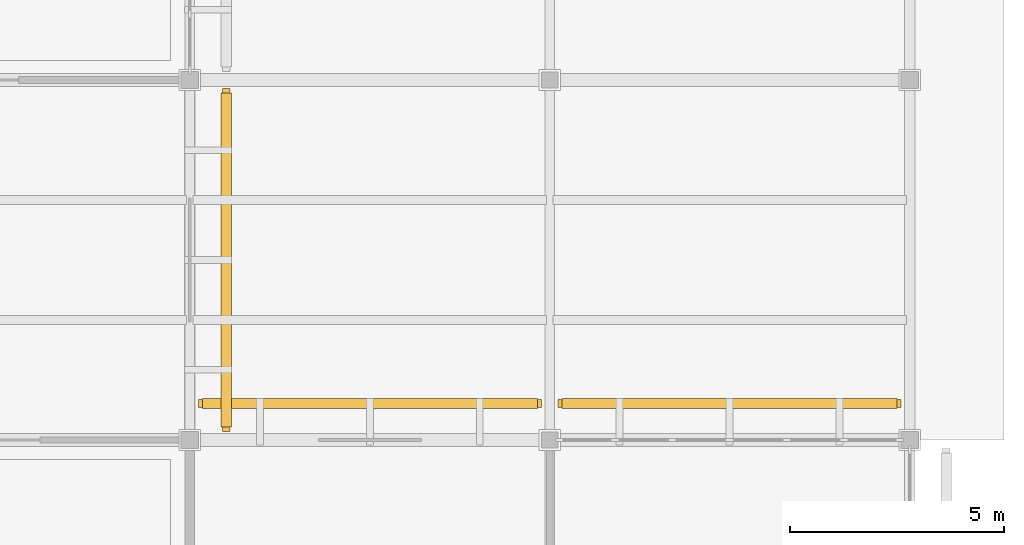
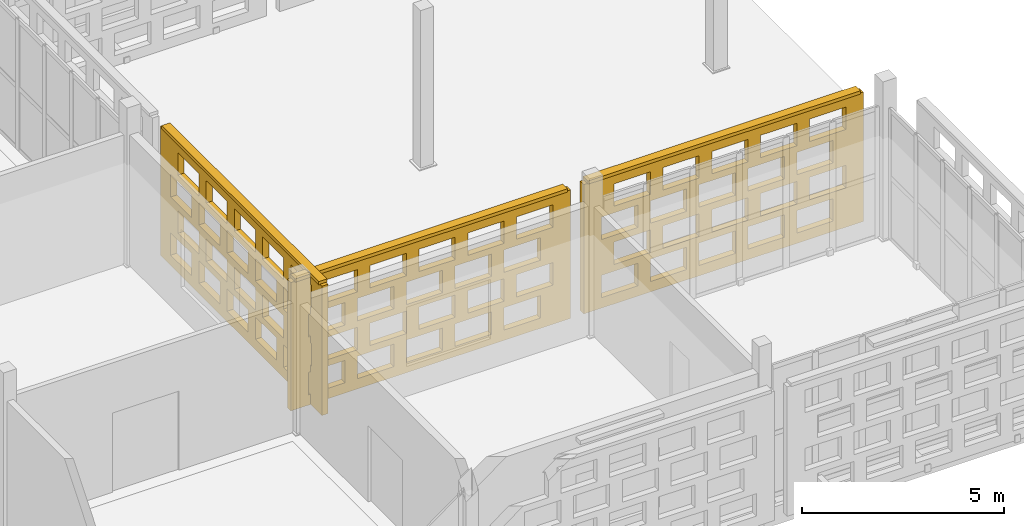
# One storey, part 186 of 203: 3 coverings, 3 shading devices, 60 openings.
"""IFC4 building model written with IfcOpenShell, lengths in metres."""

from ifc_helpers import new_model, si_unit, direction, frame, frame_2d, origin, origin_2d, place, context, subcontext, project, spatial, rectangle, extrude, material, layer, layer_set, type_object, element, save


model = new_model("IFC4")

# Units and contexts
model_context = context("Model", 3, precision=1e-05, world=origin(), true_north=direction((0.0, 1.0)))
body_context = subcontext(model_context, "Body", "Model", "MODEL_VIEW")
ifc_project = project(units=[si_unit("LENGTHUNIT", "METRE"), si_unit("AREAUNIT", "SQUARE_METRE"), si_unit("VOLUMEUNIT", "CUBIC_METRE"), si_unit("PLANEANGLEUNIT", "RADIAN"), si_unit("MASSUNIT", "GRAM", prefix="KILO")], contexts=[model_context])

# Site, building, storey
site_placement = place(None, origin())
site = spatial("IfcSite", under=ifc_project, at=site_placement, CompositionType="ELEMENT")
building_placement = place(site_placement, origin())
building = spatial("IfcBuilding", under=site, at=building_placement, Name="Varnapada Polytechnic", CompositionType="ELEMENT")
storey_placement = place(building_placement, frame((0.0, 0.0, 4.800048828125)))
storey = spatial("IfcBuildingStorey", under=building, at=storey_placement, Name="L01", CompositionType="ELEMENT", Elevation=4.800048828125)

# Covering, openings
ifc_material = material(Name="Earth-toned architectural terracotta screen block", Category="masonry")
ifc_layer_1 = layer(ifc_material, 0.1201171875)
ifc_layer_set_1 = layer_set([ifc_layer_1], Name="Earth-toned architectural terracotta screen block")
covering_type = type_object("IfcCoveringType", Name="Terracotta Screen Cladding CLD-01", PredefinedType="CLADDING", material=ifc_layer_set_1)
covering_1_placement = place(storey_placement, frame((160.449951171875, 16.60009765625, 0.0), z_axis=(0.0, 0.0, 1.0), x_axis=(0.0, -1.0, 0.0)))
covering_1 = element("IfcCovering", 1, at=covering_1_placement, inside=storey, type_object=covering_type, Name="L01 perforated terracotta block screen (125)", PredefinedType="CLADDING", context=body_context, shape_type="SweptSolid", body=[
    extrude(rectangle(XDim=8.0, YDim=0.179931640625, at=frame_2d((4.0, 0.0))), origin(), (0.0, 0.0, 1.0), 3.919921875),
])
opening_1_placement = place(covering_1_placement, frame((0.5, 0.0, 0.313720703125)))
element("IfcOpeningElement", 2, at=opening_1_placement, cuts=covering_1, Name="Screen perforation TBS-L01-124.1", PredefinedType="OPENING", context=body_context, shape_type="SweptSolid", body=[
    extrude(rectangle(XDim=1.0400390625, YDim=0.679931640625, at=frame_2d((0.52001953125, 0.33984375))), frame((0.0, 0.099853515625, 0.0), z_axis=(0.0, -1.0, 0.0), x_axis=(1.0, 0.0, 0.0)), (0.0, 0.0, 1.0), 0.199951171875),
])
opening_2_placement = place(covering_1_placement, frame((1.89990234375, 0.0, 0.313720703125)))
element("IfcOpeningElement", 3, at=opening_2_placement, cuts=covering_1, Name="Screen perforation TBS-L01-124.2", PredefinedType="OPENING", context=body_context, shape_type="SweptSolid", body=[
    extrude(rectangle(XDim=1.0400390625, YDim=0.679931640625, at=frame_2d((0.52001953125, 0.33984375))), frame((0.0, 0.099853515625, 0.0), z_axis=(0.0, -1.0, 0.0), x_axis=(1.0, 0.0, 0.0)), (0.0, 0.0, 1.0), 0.199951171875),
])
opening_3_placement = place(covering_1_placement, frame((3.300048828125, 0.0, 0.313720703125)))
element("IfcOpeningElement", 4, at=opening_3_placement, cuts=covering_1, Name="Screen perforation TBS-L01-124.3", PredefinedType="OPENING", context=body_context, shape_type="SweptSolid", body=[
    extrude(rectangle(XDim=1.0400390625, YDim=0.679931640625, at=frame_2d((0.52001953125, 0.33984375))), frame((0.0, 0.099853515625, 0.0), z_axis=(0.0, -1.0, 0.0), x_axis=(1.0, 0.0, 0.0)), (0.0, 0.0, 1.0), 0.199951171875),
])
opening_4_placement = place(covering_1_placement, frame((4.699951171875, 0.0, 0.313720703125)))
element("IfcOpeningElement", 5, at=opening_4_placement, cuts=covering_1, Name="Screen perforation TBS-L01-124.4", PredefinedType="OPENING", context=body_context, shape_type="SweptSolid", body=[
    extrude(rectangle(XDim=1.0400390625, YDim=0.679931640625, at=frame_2d((0.52001953125, 0.33984375))), frame((0.0, 0.099853515625, 0.0), z_axis=(0.0, -1.0, 0.0), x_axis=(1.0, 0.0, 0.0)), (0.0, 0.0, 1.0), 0.199951171875),
])
opening_5_placement = place(covering_1_placement, frame((6.10009765625, 0.0, 0.313720703125)))
element("IfcOpeningElement", 6, at=opening_5_placement, cuts=covering_1, Name="Screen perforation TBS-L01-124.5", PredefinedType="OPENING", context=body_context, shape_type="SweptSolid", body=[
    extrude(rectangle(XDim=1.0400390625, YDim=0.679931640625, at=frame_2d((0.52001953125, 0.33984375))), frame((0.0, 0.099853515625, 0.0), z_axis=(0.0, -1.0, 0.0), x_axis=(1.0, 0.0, 0.0)), (0.0, 0.0, 1.0), 0.199951171875),
])
opening_6_placement = place(covering_1_placement, frame((0.860107421875, 0.0, 1.195556640625)))
element("IfcOpeningElement", 7, at=opening_6_placement, cuts=covering_1, Name="Screen perforation TBS-L01-124.6", PredefinedType="OPENING", context=body_context, shape_type="SweptSolid", body=[
    extrude(rectangle(XDim=1.0400390625, YDim=0.679931640625, at=frame_2d((0.52001953125, 0.33984375))), frame((0.0, 0.099853515625, 0.0), z_axis=(0.0, -1.0, 0.0), x_axis=(1.0, 0.0, 0.0)), (0.0, 0.0, 1.0), 0.199951171875),
])
opening_7_placement = place(covering_1_placement, frame((2.260009765625, 0.0, 1.195556640625)))
element("IfcOpeningElement", 8, at=opening_7_placement, cuts=covering_1, Name="Screen perforation TBS-L01-124.7", PredefinedType="OPENING", context=body_context, shape_type="SweptSolid", body=[
    extrude(rectangle(XDim=1.0400390625, YDim=0.679931640625, at=frame_2d((0.52001953125, 0.33984375))), frame((0.0, 0.099853515625, 0.0), z_axis=(0.0, -1.0, 0.0), x_axis=(1.0, 0.0, 0.0)), (0.0, 0.0, 1.0), 0.199951171875),
])
opening_8_placement = place(covering_1_placement, frame((3.659912109375, 0.0, 1.195556640625)))
element("IfcOpeningElement", 9, at=opening_8_placement, cuts=covering_1, Name="Screen perforation TBS-L01-124.8", PredefinedType="OPENING", context=body_context, shape_type="SweptSolid", body=[
    extrude(rectangle(XDim=1.0400390625, YDim=0.679931640625, at=frame_2d((0.52001953125, 0.33984375))), frame((0.0, 0.099853515625, 0.0), z_axis=(0.0, -1.0, 0.0), x_axis=(1.0, 0.0, 0.0)), (0.0, 0.0, 1.0), 0.199951171875),
])
opening_9_placement = place(covering_1_placement, frame((5.06005859375, 0.0, 1.195556640625)))
element("IfcOpeningElement", 10, at=opening_9_placement, cuts=covering_1, Name="Screen perforation TBS-L01-124.9", PredefinedType="OPENING", context=body_context, shape_type="SweptSolid", body=[
    extrude(rectangle(XDim=1.0400390625, YDim=0.679931640625, at=frame_2d((0.52001953125, 0.33984375))), frame((0.0, 0.099853515625, 0.0), z_axis=(0.0, -1.0, 0.0), x_axis=(1.0, 0.0, 0.0)), (0.0, 0.0, 1.0), 0.199951171875),
])
opening_10_placement = place(covering_1_placement, frame((6.4599609375, 0.0, 1.195556640625)))
element("IfcOpeningElement", 11, at=opening_10_placement, cuts=covering_1, Name="Screen perforation TBS-L01-124.10", PredefinedType="OPENING", context=body_context, shape_type="SweptSolid", body=[
    extrude(rectangle(XDim=1.0400390625, YDim=0.679931640625, at=frame_2d((0.52001953125, 0.33984375))), frame((0.0, 0.099853515625, 0.0), z_axis=(0.0, -1.0, 0.0), x_axis=(1.0, 0.0, 0.0)), (0.0, 0.0, 1.0), 0.199951171875),
])
opening_11_placement = place(covering_1_placement, frame((0.5, 0.0, 2.07763671875)))
element("IfcOpeningElement", 12, at=opening_11_placement, cuts=covering_1, Name="Screen perforation TBS-L01-124.11", PredefinedType="OPENING", context=body_context, shape_type="SweptSolid", body=[
    extrude(rectangle(XDim=1.0400390625, YDim=0.679931640625, at=frame_2d((0.52001953125, 0.33984375))), frame((0.0, 0.099853515625, 0.0), z_axis=(0.0, -1.0, 0.0), x_axis=(1.0, 0.0, 0.0)), (0.0, 0.0, 1.0), 0.199951171875),
])
opening_12_placement = place(covering_1_placement, frame((1.89990234375, 0.0, 2.07763671875)))
element("IfcOpeningElement", 13, at=opening_12_placement, cuts=covering_1, Name="Screen perforation TBS-L01-124.12", PredefinedType="OPENING", context=body_context, shape_type="SweptSolid", body=[
    extrude(rectangle(XDim=1.0400390625, YDim=0.679931640625, at=frame_2d((0.52001953125, 0.33984375))), frame((0.0, 0.099853515625, 0.0), z_axis=(0.0, -1.0, 0.0), x_axis=(1.0, 0.0, 0.0)), (0.0, 0.0, 1.0), 0.199951171875),
])
opening_13_placement = place(covering_1_placement, frame((3.300048828125, 0.0, 2.07763671875)))
element("IfcOpeningElement", 14, at=opening_13_placement, cuts=covering_1, Name="Screen perforation TBS-L01-124.13", PredefinedType="OPENING", context=body_context, shape_type="SweptSolid", body=[
    extrude(rectangle(XDim=1.0400390625, YDim=0.679931640625, at=frame_2d((0.52001953125, 0.33984375))), frame((0.0, 0.099853515625, 0.0), z_axis=(0.0, -1.0, 0.0), x_axis=(1.0, 0.0, 0.0)), (0.0, 0.0, 1.0), 0.199951171875),
])
opening_14_placement = place(covering_1_placement, frame((4.699951171875, 0.0, 2.07763671875)))
element("IfcOpeningElement", 15, at=opening_14_placement, cuts=covering_1, Name="Screen perforation TBS-L01-124.14", PredefinedType="OPENING", context=body_context, shape_type="SweptSolid", body=[
    extrude(rectangle(XDim=1.0400390625, YDim=0.679931640625, at=frame_2d((0.52001953125, 0.33984375))), frame((0.0, 0.099853515625, 0.0), z_axis=(0.0, -1.0, 0.0), x_axis=(1.0, 0.0, 0.0)), (0.0, 0.0, 1.0), 0.199951171875),
])
opening_15_placement = place(covering_1_placement, frame((6.10009765625, 0.0, 2.07763671875)))
element("IfcOpeningElement", 16, at=opening_15_placement, cuts=covering_1, Name="Screen perforation TBS-L01-124.15", PredefinedType="OPENING", context=body_context, shape_type="SweptSolid", body=[
    extrude(rectangle(XDim=1.0400390625, YDim=0.679931640625, at=frame_2d((0.52001953125, 0.33984375))), frame((0.0, 0.099853515625, 0.0), z_axis=(0.0, -1.0, 0.0), x_axis=(1.0, 0.0, 0.0)), (0.0, 0.0, 1.0), 0.199951171875),
])
opening_16_placement = place(covering_1_placement, frame((0.860107421875, 0.0, 2.959716796875)))
element("IfcOpeningElement", 17, at=opening_16_placement, cuts=covering_1, Name="Screen perforation TBS-L01-124.16", PredefinedType="OPENING", context=body_context, shape_type="SweptSolid", body=[
    extrude(rectangle(XDim=1.0400390625, YDim=0.679931640625, at=frame_2d((0.52001953125, 0.33984375))), frame((0.0, 0.099853515625, 0.0), z_axis=(0.0, -1.0, 0.0), x_axis=(1.0, 0.0, 0.0)), (0.0, 0.0, 1.0), 0.199951171875),
])
opening_17_placement = place(covering_1_placement, frame((2.260009765625, 0.0, 2.959716796875)))
element("IfcOpeningElement", 18, at=opening_17_placement, cuts=covering_1, Name="Screen perforation TBS-L01-124.17", PredefinedType="OPENING", context=body_context, shape_type="SweptSolid", body=[
    extrude(rectangle(XDim=1.0400390625, YDim=0.679931640625, at=frame_2d((0.52001953125, 0.33984375))), frame((0.0, 0.099853515625, 0.0), z_axis=(0.0, -1.0, 0.0), x_axis=(1.0, 0.0, 0.0)), (0.0, 0.0, 1.0), 0.199951171875),
])
opening_18_placement = place(covering_1_placement, frame((3.659912109375, 0.0, 2.959716796875)))
element("IfcOpeningElement", 19, at=opening_18_placement, cuts=covering_1, Name="Screen perforation TBS-L01-124.18", PredefinedType="OPENING", context=body_context, shape_type="SweptSolid", body=[
    extrude(rectangle(XDim=1.0400390625, YDim=0.679931640625, at=frame_2d((0.52001953125, 0.33984375))), frame((0.0, 0.099853515625, 0.0), z_axis=(0.0, -1.0, 0.0), x_axis=(1.0, 0.0, 0.0)), (0.0, 0.0, 1.0), 0.199951171875),
])
opening_19_placement = place(covering_1_placement, frame((5.06005859375, 0.0, 2.959716796875)))
element("IfcOpeningElement", 20, at=opening_19_placement, cuts=covering_1, Name="Screen perforation TBS-L01-124.19", PredefinedType="OPENING", context=body_context, shape_type="SweptSolid", body=[
    extrude(rectangle(XDim=1.0400390625, YDim=0.679931640625, at=frame_2d((0.52001953125, 0.33984375))), frame((0.0, 0.099853515625, 0.0), z_axis=(0.0, -1.0, 0.0), x_axis=(1.0, 0.0, 0.0)), (0.0, 0.0, 1.0), 0.199951171875),
])
opening_20_placement = place(covering_1_placement, frame((6.4599609375, 0.0, 2.959716796875)))
element("IfcOpeningElement", 21, at=opening_20_placement, cuts=covering_1, Name="Screen perforation TBS-L01-124.20", PredefinedType="OPENING", context=body_context, shape_type="SweptSolid", body=[
    extrude(rectangle(XDim=1.0400390625, YDim=0.679931640625, at=frame_2d((0.52001953125, 0.33984375))), frame((0.0, 0.099853515625, 0.0), z_axis=(0.0, -1.0, 0.0), x_axis=(1.0, 0.0, 0.0)), (0.0, 0.0, 1.0), 0.199951171875),
])

covering_2_placement = place(storey_placement, frame((159.800048828125, 9.25, 0.0), z_axis=(0.0, 0.0, 1.0), x_axis=(1.0, 0.0, 0.0)))
covering_2 = element("IfcCovering", 22, at=covering_2_placement, inside=storey, type_object=covering_type, Name="L01 perforated terracotta block screen (131)", PredefinedType="CLADDING", context=body_context, shape_type="SweptSolid", body=[
    extrude(rectangle(XDim=8.010009765625, YDim=0.179931640625, at=frame_2d((4.0048828125, 0.0))), origin(), (0.0, 0.0, 1.0), 3.889892578125),
])
opening_21_placement = place(covering_2_placement, frame((0.5048828125, 0.0, 0.311279296875)))
element("IfcOpeningElement", 23, at=opening_21_placement, cuts=covering_2, Name="Screen perforation TBS-L01-130.1", PredefinedType="OPENING", context=body_context, shape_type="SweptSolid", body=[
    extrude(rectangle(XDim=1.0400390625, YDim=0.679931640625, at=frame_2d((0.52001953125, 0.33984375))), frame((0.0, 0.099853515625, 0.0), z_axis=(0.0, -1.0, 0.0), x_axis=(1.0, 0.0, 0.0)), (0.0, 0.0, 1.0), 0.199951171875),
])
opening_22_placement = place(covering_2_placement, frame((1.905029296875, 0.0, 0.311279296875)))
element("IfcOpeningElement", 24, at=opening_22_placement, cuts=covering_2, Name="Screen perforation TBS-L01-130.2", PredefinedType="OPENING", context=body_context, shape_type="SweptSolid", body=[
    extrude(rectangle(XDim=1.0400390625, YDim=0.679931640625, at=frame_2d((0.52001953125, 0.33984375))), frame((0.0, 0.099853515625, 0.0), z_axis=(0.0, -1.0, 0.0), x_axis=(1.0, 0.0, 0.0)), (0.0, 0.0, 1.0), 0.199951171875),
])
opening_23_placement = place(covering_2_placement, frame((3.304931640625, 0.0, 0.311279296875)))
element("IfcOpeningElement", 25, at=opening_23_placement, cuts=covering_2, Name="Screen perforation TBS-L01-130.3", PredefinedType="OPENING", context=body_context, shape_type="SweptSolid", body=[
    extrude(rectangle(XDim=1.0400390625, YDim=0.679931640625, at=frame_2d((0.52001953125, 0.33984375))), frame((0.0, 0.099853515625, 0.0), z_axis=(0.0, -1.0, 0.0), x_axis=(1.0, 0.0, 0.0)), (0.0, 0.0, 1.0), 0.199951171875),
])
opening_24_placement = place(covering_2_placement, frame((4.705078125, 0.0, 0.311279296875)))
element("IfcOpeningElement", 26, at=opening_24_placement, cuts=covering_2, Name="Screen perforation TBS-L01-130.4", PredefinedType="OPENING", context=body_context, shape_type="SweptSolid", body=[
    extrude(rectangle(XDim=1.0400390625, YDim=0.679931640625, at=frame_2d((0.52001953125, 0.33984375))), frame((0.0, 0.099853515625, 0.0), z_axis=(0.0, -1.0, 0.0), x_axis=(1.0, 0.0, 0.0)), (0.0, 0.0, 1.0), 0.199951171875),
])
opening_25_placement = place(covering_2_placement, frame((6.10498046875, 0.0, 0.311279296875)))
element("IfcOpeningElement", 27, at=opening_25_placement, cuts=covering_2, Name="Screen perforation TBS-L01-130.5", PredefinedType="OPENING", context=body_context, shape_type="SweptSolid", body=[
    extrude(rectangle(XDim=1.0400390625, YDim=0.679931640625, at=frame_2d((0.52001953125, 0.33984375))), frame((0.0, 0.099853515625, 0.0), z_axis=(0.0, -1.0, 0.0), x_axis=(1.0, 0.0, 0.0)), (0.0, 0.0, 1.0), 0.199951171875),
])
opening_26_placement = place(covering_2_placement, frame((0.864990234375, 0.0, 1.1865234375)))
element("IfcOpeningElement", 28, at=opening_26_placement, cuts=covering_2, Name="Screen perforation TBS-L01-130.6", PredefinedType="OPENING", context=body_context, shape_type="SweptSolid", body=[
    extrude(rectangle(XDim=1.0400390625, YDim=0.679931640625, at=frame_2d((0.52001953125, 0.33984375))), frame((0.0, 0.099853515625, 0.0), z_axis=(0.0, -1.0, 0.0), x_axis=(1.0, 0.0, 0.0)), (0.0, 0.0, 1.0), 0.199951171875),
])
opening_27_placement = place(covering_2_placement, frame((2.264892578125, 0.0, 1.1865234375)))
element("IfcOpeningElement", 29, at=opening_27_placement, cuts=covering_2, Name="Screen perforation TBS-L01-130.7", PredefinedType="OPENING", context=body_context, shape_type="SweptSolid", body=[
    extrude(rectangle(XDim=1.0400390625, YDim=0.679931640625, at=frame_2d((0.52001953125, 0.33984375))), frame((0.0, 0.099853515625, 0.0), z_axis=(0.0, -1.0, 0.0), x_axis=(1.0, 0.0, 0.0)), (0.0, 0.0, 1.0), 0.199951171875),
])
opening_28_placement = place(covering_2_placement, frame((3.6650390625, 0.0, 1.1865234375)))
element("IfcOpeningElement", 30, at=opening_28_placement, cuts=covering_2, Name="Screen perforation TBS-L01-130.8", PredefinedType="OPENING", context=body_context, shape_type="SweptSolid", body=[
    extrude(rectangle(XDim=1.0400390625, YDim=0.679931640625, at=frame_2d((0.52001953125, 0.33984375))), frame((0.0, 0.099853515625, 0.0), z_axis=(0.0, -1.0, 0.0), x_axis=(1.0, 0.0, 0.0)), (0.0, 0.0, 1.0), 0.199951171875),
])
opening_29_placement = place(covering_2_placement, frame((5.06494140625, 0.0, 1.1865234375)))
element("IfcOpeningElement", 31, at=opening_29_placement, cuts=covering_2, Name="Screen perforation TBS-L01-130.9", PredefinedType="OPENING", context=body_context, shape_type="SweptSolid", body=[
    extrude(rectangle(XDim=1.0400390625, YDim=0.679931640625, at=frame_2d((0.52001953125, 0.33984375))), frame((0.0, 0.099853515625, 0.0), z_axis=(0.0, -1.0, 0.0), x_axis=(1.0, 0.0, 0.0)), (0.0, 0.0, 1.0), 0.199951171875),
])
opening_30_placement = place(covering_2_placement, frame((6.465087890625, 0.0, 1.1865234375)))
element("IfcOpeningElement", 32, at=opening_30_placement, cuts=covering_2, Name="Screen perforation TBS-L01-130.10", PredefinedType="OPENING", context=body_context, shape_type="SweptSolid", body=[
    extrude(rectangle(XDim=1.0400390625, YDim=0.679931640625, at=frame_2d((0.52001953125, 0.33984375))), frame((0.0, 0.099853515625, 0.0), z_axis=(0.0, -1.0, 0.0), x_axis=(1.0, 0.0, 0.0)), (0.0, 0.0, 1.0), 0.199951171875),
])
opening_31_placement = place(covering_2_placement, frame((0.5048828125, 0.0, 2.061767578125)))
element("IfcOpeningElement", 33, at=opening_31_placement, cuts=covering_2, Name="Screen perforation TBS-L01-130.11", PredefinedType="OPENING", context=body_context, shape_type="SweptSolid", body=[
    extrude(rectangle(XDim=1.0400390625, YDim=0.679931640625, at=frame_2d((0.52001953125, 0.33984375))), frame((0.0, 0.099853515625, 0.0), z_axis=(0.0, -1.0, 0.0), x_axis=(1.0, 0.0, 0.0)), (0.0, 0.0, 1.0), 0.199951171875),
])
opening_32_placement = place(covering_2_placement, frame((1.905029296875, 0.0, 2.061767578125)))
element("IfcOpeningElement", 34, at=opening_32_placement, cuts=covering_2, Name="Screen perforation TBS-L01-130.12", PredefinedType="OPENING", context=body_context, shape_type="SweptSolid", body=[
    extrude(rectangle(XDim=1.0400390625, YDim=0.679931640625, at=frame_2d((0.52001953125, 0.33984375))), frame((0.0, 0.099853515625, 0.0), z_axis=(0.0, -1.0, 0.0), x_axis=(1.0, 0.0, 0.0)), (0.0, 0.0, 1.0), 0.199951171875),
])
opening_33_placement = place(covering_2_placement, frame((3.304931640625, 0.0, 2.061767578125)))
element("IfcOpeningElement", 35, at=opening_33_placement, cuts=covering_2, Name="Screen perforation TBS-L01-130.13", PredefinedType="OPENING", context=body_context, shape_type="SweptSolid", body=[
    extrude(rectangle(XDim=1.0400390625, YDim=0.679931640625, at=frame_2d((0.52001953125, 0.33984375))), frame((0.0, 0.099853515625, 0.0), z_axis=(0.0, -1.0, 0.0), x_axis=(1.0, 0.0, 0.0)), (0.0, 0.0, 1.0), 0.199951171875),
])
opening_34_placement = place(covering_2_placement, frame((4.705078125, 0.0, 2.061767578125)))
element("IfcOpeningElement", 36, at=opening_34_placement, cuts=covering_2, Name="Screen perforation TBS-L01-130.14", PredefinedType="OPENING", context=body_context, shape_type="SweptSolid", body=[
    extrude(rectangle(XDim=1.0400390625, YDim=0.679931640625, at=frame_2d((0.52001953125, 0.33984375))), frame((0.0, 0.099853515625, 0.0), z_axis=(0.0, -1.0, 0.0), x_axis=(1.0, 0.0, 0.0)), (0.0, 0.0, 1.0), 0.199951171875),
])
opening_35_placement = place(covering_2_placement, frame((6.10498046875, 0.0, 2.061767578125)))
element("IfcOpeningElement", 37, at=opening_35_placement, cuts=covering_2, Name="Screen perforation TBS-L01-130.15", PredefinedType="OPENING", context=body_context, shape_type="SweptSolid", body=[
    extrude(rectangle(XDim=1.0400390625, YDim=0.679931640625, at=frame_2d((0.52001953125, 0.33984375))), frame((0.0, 0.099853515625, 0.0), z_axis=(0.0, -1.0, 0.0), x_axis=(1.0, 0.0, 0.0)), (0.0, 0.0, 1.0), 0.199951171875),
])
opening_36_placement = place(covering_2_placement, frame((0.864990234375, 0.0, 2.93701171875)))
element("IfcOpeningElement", 38, at=opening_36_placement, cuts=covering_2, Name="Screen perforation TBS-L01-130.16", PredefinedType="OPENING", context=body_context, shape_type="SweptSolid", body=[
    extrude(rectangle(XDim=1.0400390625, YDim=0.679931640625, at=frame_2d((0.52001953125, 0.33984375))), frame((0.0, 0.099853515625, 0.0), z_axis=(0.0, -1.0, 0.0), x_axis=(1.0, 0.0, 0.0)), (0.0, 0.0, 1.0), 0.199951171875),
])
opening_37_placement = place(covering_2_placement, frame((2.264892578125, 0.0, 2.93701171875)))
element("IfcOpeningElement", 39, at=opening_37_placement, cuts=covering_2, Name="Screen perforation TBS-L01-130.17", PredefinedType="OPENING", context=body_context, shape_type="SweptSolid", body=[
    extrude(rectangle(XDim=1.0400390625, YDim=0.679931640625, at=frame_2d((0.52001953125, 0.33984375))), frame((0.0, 0.099853515625, 0.0), z_axis=(0.0, -1.0, 0.0), x_axis=(1.0, 0.0, 0.0)), (0.0, 0.0, 1.0), 0.199951171875),
])
opening_38_placement = place(covering_2_placement, frame((3.6650390625, 0.0, 2.93701171875)))
element("IfcOpeningElement", 40, at=opening_38_placement, cuts=covering_2, Name="Screen perforation TBS-L01-130.18", PredefinedType="OPENING", context=body_context, shape_type="SweptSolid", body=[
    extrude(rectangle(XDim=1.0400390625, YDim=0.679931640625, at=frame_2d((0.52001953125, 0.33984375))), frame((0.0, 0.099853515625, 0.0), z_axis=(0.0, -1.0, 0.0), x_axis=(1.0, 0.0, 0.0)), (0.0, 0.0, 1.0), 0.199951171875),
])
opening_39_placement = place(covering_2_placement, frame((5.06494140625, 0.0, 2.93701171875)))
element("IfcOpeningElement", 41, at=opening_39_placement, cuts=covering_2, Name="Screen perforation TBS-L01-130.19", PredefinedType="OPENING", context=body_context, shape_type="SweptSolid", body=[
    extrude(rectangle(XDim=1.0400390625, YDim=0.679931640625, at=frame_2d((0.52001953125, 0.33984375))), frame((0.0, 0.099853515625, 0.0), z_axis=(0.0, -1.0, 0.0), x_axis=(1.0, 0.0, 0.0)), (0.0, 0.0, 1.0), 0.199951171875),
])
opening_40_placement = place(covering_2_placement, frame((6.465087890625, 0.0, 2.93701171875)))
element("IfcOpeningElement", 42, at=opening_40_placement, cuts=covering_2, Name="Screen perforation TBS-L01-130.20", PredefinedType="OPENING", context=body_context, shape_type="SweptSolid", body=[
    extrude(rectangle(XDim=1.0400390625, YDim=0.679931640625, at=frame_2d((0.52001953125, 0.33984375))), frame((0.0, 0.099853515625, 0.0), z_axis=(0.0, -1.0, 0.0), x_axis=(1.0, 0.0, 0.0)), (0.0, 0.0, 1.0), 0.199951171875),
])

covering_3_placement = place(storey_placement, frame((168.18994140625, 9.25, 0.0), z_axis=(0.0, 0.0, 1.0), x_axis=(1.0, 0.0, 0.0)))
covering_3 = element("IfcCovering", 43, at=covering_3_placement, inside=storey, type_object=covering_type, Name="L01 perforated terracotta block screen (137)", PredefinedType="CLADDING", context=body_context, shape_type="SweptSolid", body=[
    extrude(rectangle(XDim=8.010009765625, YDim=0.179931640625, at=frame_2d((4.0048828125, 0.0))), origin(), (0.0, 0.0, 1.0), 3.919921875),
])
opening_41_placement = place(covering_3_placement, frame((0.5048828125, 0.0, 0.313720703125)))
element("IfcOpeningElement", 44, at=opening_41_placement, cuts=covering_3, Name="Screen perforation TBS-L01-136.1", PredefinedType="OPENING", context=body_context, shape_type="SweptSolid", body=[
    extrude(rectangle(XDim=1.0400390625, YDim=0.679931640625, at=frame_2d((0.52001953125, 0.33984375))), frame((0.0, 0.099853515625, 0.0), z_axis=(0.0, -1.0, 0.0), x_axis=(1.0, 0.0, 0.0)), (0.0, 0.0, 1.0), 0.199951171875),
])
opening_42_placement = place(covering_3_placement, frame((1.905029296875, 0.0, 0.313720703125)))
element("IfcOpeningElement", 45, at=opening_42_placement, cuts=covering_3, Name="Screen perforation TBS-L01-136.2", PredefinedType="OPENING", context=body_context, shape_type="SweptSolid", body=[
    extrude(rectangle(XDim=1.0400390625, YDim=0.679931640625, at=frame_2d((0.52001953125, 0.33984375))), frame((0.0, 0.099853515625, 0.0), z_axis=(0.0, -1.0, 0.0), x_axis=(1.0, 0.0, 0.0)), (0.0, 0.0, 1.0), 0.199951171875),
])
opening_43_placement = place(covering_3_placement, frame((3.304931640625, 0.0, 0.313720703125)))
element("IfcOpeningElement", 46, at=opening_43_placement, cuts=covering_3, Name="Screen perforation TBS-L01-136.3", PredefinedType="OPENING", context=body_context, shape_type="SweptSolid", body=[
    extrude(rectangle(XDim=1.0400390625, YDim=0.679931640625, at=frame_2d((0.52001953125, 0.33984375))), frame((0.0, 0.099853515625, 0.0), z_axis=(0.0, -1.0, 0.0), x_axis=(1.0, 0.0, 0.0)), (0.0, 0.0, 1.0), 0.199951171875),
])
opening_44_placement = place(covering_3_placement, frame((4.705078125, 0.0, 0.313720703125)))
element("IfcOpeningElement", 47, at=opening_44_placement, cuts=covering_3, Name="Screen perforation TBS-L01-136.4", PredefinedType="OPENING", context=body_context, shape_type="SweptSolid", body=[
    extrude(rectangle(XDim=1.0400390625, YDim=0.679931640625, at=frame_2d((0.52001953125, 0.33984375))), frame((0.0, 0.099853515625, 0.0), z_axis=(0.0, -1.0, 0.0), x_axis=(1.0, 0.0, 0.0)), (0.0, 0.0, 1.0), 0.199951171875),
])
opening_45_placement = place(covering_3_placement, frame((6.10498046875, 0.0, 0.313720703125)))
element("IfcOpeningElement", 48, at=opening_45_placement, cuts=covering_3, Name="Screen perforation TBS-L01-136.5", PredefinedType="OPENING", context=body_context, shape_type="SweptSolid", body=[
    extrude(rectangle(XDim=1.0400390625, YDim=0.679931640625, at=frame_2d((0.52001953125, 0.33984375))), frame((0.0, 0.099853515625, 0.0), z_axis=(0.0, -1.0, 0.0), x_axis=(1.0, 0.0, 0.0)), (0.0, 0.0, 1.0), 0.199951171875),
])
opening_46_placement = place(covering_3_placement, frame((0.864990234375, 0.0, 1.195556640625)))
element("IfcOpeningElement", 49, at=opening_46_placement, cuts=covering_3, Name="Screen perforation TBS-L01-136.6", PredefinedType="OPENING", context=body_context, shape_type="SweptSolid", body=[
    extrude(rectangle(XDim=1.0400390625, YDim=0.679931640625, at=frame_2d((0.52001953125, 0.33984375))), frame((0.0, 0.099853515625, 0.0), z_axis=(0.0, -1.0, 0.0), x_axis=(1.0, 0.0, 0.0)), (0.0, 0.0, 1.0), 0.199951171875),
])
opening_47_placement = place(covering_3_placement, frame((2.264892578125, 0.0, 1.195556640625)))
element("IfcOpeningElement", 50, at=opening_47_placement, cuts=covering_3, Name="Screen perforation TBS-L01-136.7", PredefinedType="OPENING", context=body_context, shape_type="SweptSolid", body=[
    extrude(rectangle(XDim=1.0400390625, YDim=0.679931640625, at=frame_2d((0.52001953125, 0.33984375))), frame((0.0, 0.099853515625, 0.0), z_axis=(0.0, -1.0, 0.0), x_axis=(1.0, 0.0, 0.0)), (0.0, 0.0, 1.0), 0.199951171875),
])
opening_48_placement = place(covering_3_placement, frame((3.6650390625, 0.0, 1.195556640625)))
element("IfcOpeningElement", 51, at=opening_48_placement, cuts=covering_3, Name="Screen perforation TBS-L01-136.8", PredefinedType="OPENING", context=body_context, shape_type="SweptSolid", body=[
    extrude(rectangle(XDim=1.0400390625, YDim=0.679931640625, at=frame_2d((0.52001953125, 0.33984375))), frame((0.0, 0.099853515625, 0.0), z_axis=(0.0, -1.0, 0.0), x_axis=(1.0, 0.0, 0.0)), (0.0, 0.0, 1.0), 0.199951171875),
])
opening_49_placement = place(covering_3_placement, frame((5.06494140625, 0.0, 1.195556640625)))
element("IfcOpeningElement", 52, at=opening_49_placement, cuts=covering_3, Name="Screen perforation TBS-L01-136.9", PredefinedType="OPENING", context=body_context, shape_type="SweptSolid", body=[
    extrude(rectangle(XDim=1.0400390625, YDim=0.679931640625, at=frame_2d((0.52001953125, 0.33984375))), frame((0.0, 0.099853515625, 0.0), z_axis=(0.0, -1.0, 0.0), x_axis=(1.0, 0.0, 0.0)), (0.0, 0.0, 1.0), 0.199951171875),
])
opening_50_placement = place(covering_3_placement, frame((6.465087890625, 0.0, 1.195556640625)))
element("IfcOpeningElement", 53, at=opening_50_placement, cuts=covering_3, Name="Screen perforation TBS-L01-136.10", PredefinedType="OPENING", context=body_context, shape_type="SweptSolid", body=[
    extrude(rectangle(XDim=1.0400390625, YDim=0.679931640625, at=frame_2d((0.52001953125, 0.33984375))), frame((0.0, 0.099853515625, 0.0), z_axis=(0.0, -1.0, 0.0), x_axis=(1.0, 0.0, 0.0)), (0.0, 0.0, 1.0), 0.199951171875),
])
opening_51_placement = place(covering_3_placement, frame((0.5048828125, 0.0, 2.07763671875)))
element("IfcOpeningElement", 54, at=opening_51_placement, cuts=covering_3, Name="Screen perforation TBS-L01-136.11", PredefinedType="OPENING", context=body_context, shape_type="SweptSolid", body=[
    extrude(rectangle(XDim=1.0400390625, YDim=0.679931640625, at=frame_2d((0.52001953125, 0.33984375))), frame((0.0, 0.099853515625, 0.0), z_axis=(0.0, -1.0, 0.0), x_axis=(1.0, 0.0, 0.0)), (0.0, 0.0, 1.0), 0.199951171875),
])
opening_52_placement = place(covering_3_placement, frame((1.905029296875, 0.0, 2.07763671875)))
element("IfcOpeningElement", 55, at=opening_52_placement, cuts=covering_3, Name="Screen perforation TBS-L01-136.12", PredefinedType="OPENING", context=body_context, shape_type="SweptSolid", body=[
    extrude(rectangle(XDim=1.0400390625, YDim=0.679931640625, at=frame_2d((0.52001953125, 0.33984375))), frame((0.0, 0.099853515625, 0.0), z_axis=(0.0, -1.0, 0.0), x_axis=(1.0, 0.0, 0.0)), (0.0, 0.0, 1.0), 0.199951171875),
])
opening_53_placement = place(covering_3_placement, frame((3.304931640625, 0.0, 2.07763671875)))
element("IfcOpeningElement", 56, at=opening_53_placement, cuts=covering_3, Name="Screen perforation TBS-L01-136.13", PredefinedType="OPENING", context=body_context, shape_type="SweptSolid", body=[
    extrude(rectangle(XDim=1.0400390625, YDim=0.679931640625, at=frame_2d((0.52001953125, 0.33984375))), frame((0.0, 0.099853515625, 0.0), z_axis=(0.0, -1.0, 0.0), x_axis=(1.0, 0.0, 0.0)), (0.0, 0.0, 1.0), 0.199951171875),
])
opening_54_placement = place(covering_3_placement, frame((4.705078125, 0.0, 2.07763671875)))
element("IfcOpeningElement", 57, at=opening_54_placement, cuts=covering_3, Name="Screen perforation TBS-L01-136.14", PredefinedType="OPENING", context=body_context, shape_type="SweptSolid", body=[
    extrude(rectangle(XDim=1.0400390625, YDim=0.679931640625, at=frame_2d((0.52001953125, 0.33984375))), frame((0.0, 0.099853515625, 0.0), z_axis=(0.0, -1.0, 0.0), x_axis=(1.0, 0.0, 0.0)), (0.0, 0.0, 1.0), 0.199951171875),
])
opening_55_placement = place(covering_3_placement, frame((6.10498046875, 0.0, 2.07763671875)))
element("IfcOpeningElement", 58, at=opening_55_placement, cuts=covering_3, Name="Screen perforation TBS-L01-136.15", PredefinedType="OPENING", context=body_context, shape_type="SweptSolid", body=[
    extrude(rectangle(XDim=1.0400390625, YDim=0.679931640625, at=frame_2d((0.52001953125, 0.33984375))), frame((0.0, 0.099853515625, 0.0), z_axis=(0.0, -1.0, 0.0), x_axis=(1.0, 0.0, 0.0)), (0.0, 0.0, 1.0), 0.199951171875),
])
opening_56_placement = place(covering_3_placement, frame((0.864990234375, 0.0, 2.959716796875)))
element("IfcOpeningElement", 59, at=opening_56_placement, cuts=covering_3, Name="Screen perforation TBS-L01-136.16", PredefinedType="OPENING", context=body_context, shape_type="SweptSolid", body=[
    extrude(rectangle(XDim=1.0400390625, YDim=0.679931640625, at=frame_2d((0.52001953125, 0.33984375))), frame((0.0, 0.099853515625, 0.0), z_axis=(0.0, -1.0, 0.0), x_axis=(1.0, 0.0, 0.0)), (0.0, 0.0, 1.0), 0.199951171875),
])
opening_57_placement = place(covering_3_placement, frame((2.264892578125, 0.0, 2.959716796875)))
element("IfcOpeningElement", 60, at=opening_57_placement, cuts=covering_3, Name="Screen perforation TBS-L01-136.17", PredefinedType="OPENING", context=body_context, shape_type="SweptSolid", body=[
    extrude(rectangle(XDim=1.0400390625, YDim=0.679931640625, at=frame_2d((0.52001953125, 0.33984375))), frame((0.0, 0.099853515625, 0.0), z_axis=(0.0, -1.0, 0.0), x_axis=(1.0, 0.0, 0.0)), (0.0, 0.0, 1.0), 0.199951171875),
])
opening_58_placement = place(covering_3_placement, frame((3.6650390625, 0.0, 2.959716796875)))
element("IfcOpeningElement", 61, at=opening_58_placement, cuts=covering_3, Name="Screen perforation TBS-L01-136.18", PredefinedType="OPENING", context=body_context, shape_type="SweptSolid", body=[
    extrude(rectangle(XDim=1.0400390625, YDim=0.679931640625, at=frame_2d((0.52001953125, 0.33984375))), frame((0.0, 0.099853515625, 0.0), z_axis=(0.0, -1.0, 0.0), x_axis=(1.0, 0.0, 0.0)), (0.0, 0.0, 1.0), 0.199951171875),
])
opening_59_placement = place(covering_3_placement, frame((5.06494140625, 0.0, 2.959716796875)))
element("IfcOpeningElement", 62, at=opening_59_placement, cuts=covering_3, Name="Screen perforation TBS-L01-136.19", PredefinedType="OPENING", context=body_context, shape_type="SweptSolid", body=[
    extrude(rectangle(XDim=1.0400390625, YDim=0.679931640625, at=frame_2d((0.52001953125, 0.33984375))), frame((0.0, 0.099853515625, 0.0), z_axis=(0.0, -1.0, 0.0), x_axis=(1.0, 0.0, 0.0)), (0.0, 0.0, 1.0), 0.199951171875),
])
opening_60_placement = place(covering_3_placement, frame((6.465087890625, 0.0, 2.959716796875)))
element("IfcOpeningElement", 63, at=opening_60_placement, cuts=covering_3, Name="Screen perforation TBS-L01-136.20", PredefinedType="OPENING", context=body_context, shape_type="SweptSolid", body=[
    extrude(rectangle(XDim=1.0400390625, YDim=0.679931640625, at=frame_2d((0.52001953125, 0.33984375))), frame((0.0, 0.099853515625, 0.0), z_axis=(0.0, -1.0, 0.0), x_axis=(1.0, 0.0, 0.0)), (0.0, 0.0, 1.0), 0.199951171875),
])

# Shading devices
ifc_layer_2 = layer(ifc_material, 0.179931640625)
ifc_layer_set_2 = layer_set([ifc_layer_2], Name="Earth-toned architectural terracotta screen block")
shading_device_type = type_object("IfcShadingDeviceType", Name="Terracotta Screen SCR-02", PredefinedType="USERDEFINED", material=ifc_layer_set_2)
shading_device_placement = place(storey_placement, frame((160.449951171875, 12.60009765625, 3.909912109375), z_axis=(0.0, 0.0, 1.0), x_axis=(0.0, -1.0, 0.0)))
element("IfcShadingDevice", 64, at=shading_device_placement, inside=storey, type_object=shading_device_type, Name="L01 perforated terracotta screen hood 203", ObjectType="SCREEN", PredefinedType="USERDEFINED", context=body_context, shape_type="SweptSolid", body=[
    extrude(rectangle(XDim=7.800048828125, YDim=0.239990234375, at=origin_2d()), origin(), (0.0, 0.0, 1.0), 0.10009765625),
])
for number, where, z_axis, x_axis, name in (
    (65, (163.804931640625, 9.25, 3.8798828125), (0.0, 0.0, 1.0), (1.0, 0.0, 0.0), "L01 perforated terracotta screen hood 209"),
    (66, (172.195068359375, 9.25, 3.909912109375), (0.0, 0.0, 1.0), (1.0, 0.0, 0.0), "L01 perforated terracotta screen hood 215"),
):
    element("IfcShadingDevice", number, at=place(storey_placement, frame(where, z_axis=z_axis, x_axis=x_axis)), inside=storey, type_object=shading_device_type, Name=name, ObjectType="SCREEN", PredefinedType="USERDEFINED", context=body_context, shape_type="SweptSolid", body=[
        extrude(rectangle(XDim=7.81005859375, YDim=0.239990234375, at=origin_2d()), origin(), (0.0, 0.0, 1.0), 0.10009765625),
    ])

save(model, "model.ifc")
